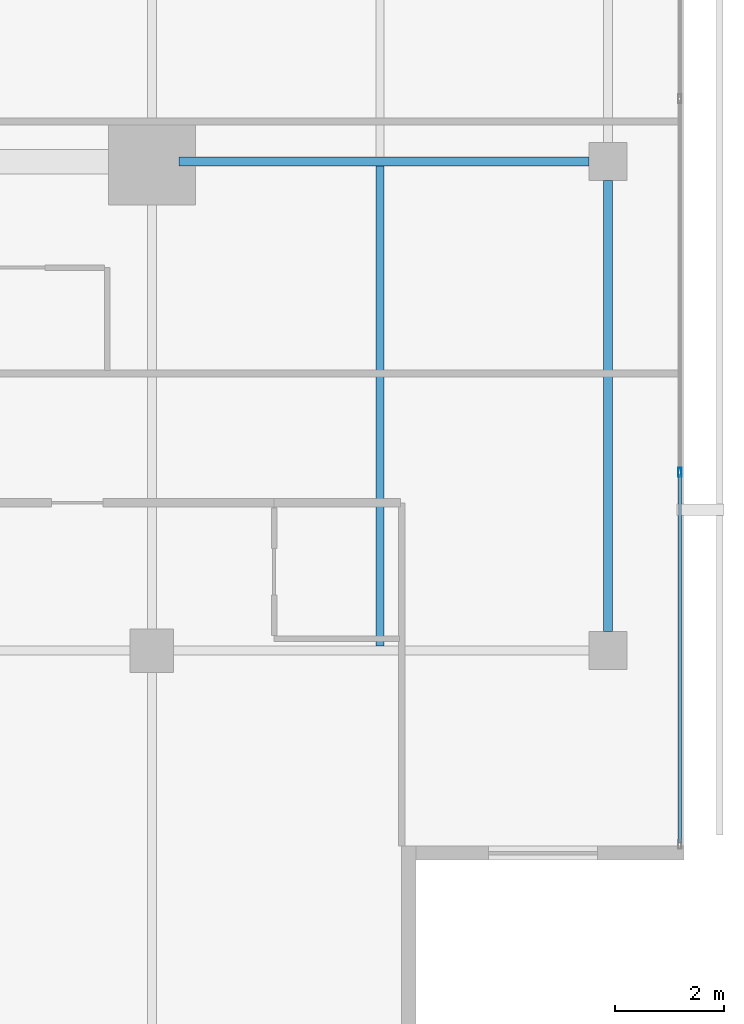
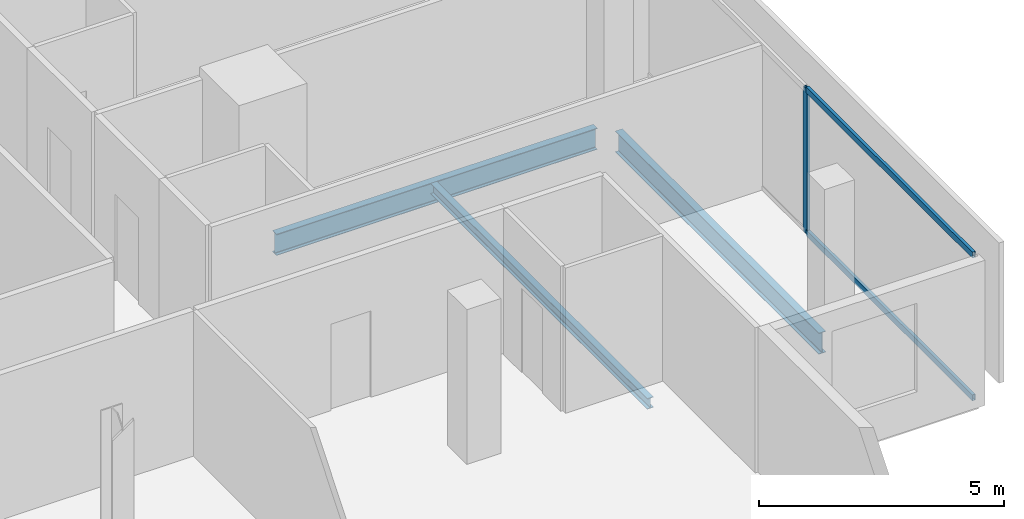
# One storey, part 12 of 25: 3 beams, 3 members, 1 element without a shape of its own.
"""IFC4 building model written with IfcOpenShell, lengths in metres."""

import ifcopenshell
import ifcopenshell.guid

model = None  # the IFC model being written
_history = None  # IfcOwnerHistory: only IFC2X3 demands one
_inside = {}  # id of a spatial element -> (the spatial element, [elements in it])
_under = {}  # id of a project, library or spatial element -> (it, [spatial elements below it])
_declared = {}  # id of a project -> (the project, [libraries it declares])
_typed = {}  # id of a type object -> (the type object, [elements of that type])
_made_of = {}  # id of a material, layer set ... -> (it, [elements and type objects made of it])


def new_model(schema):
    """Start an empty IFC model of exactly this schema.

    Asked for "IFC4X3", IfcOpenShell would pick the latest addendum, in which some entities
    have other attributes; the version numbers below select the first issue.
    IFC2X3 requires an IfcOwnerHistory on every rooted entity: one is made here for all.
    """
    global model, _history
    if schema == "IFC4X3":
        model = ifcopenshell.file(schema_version=(4, 3, 0, 0))
    else:
        model = ifcopenshell.file(schema=schema)
    _inside.clear()
    _under.clear()
    _declared.clear()
    _typed.clear()
    _made_of.clear()
    _history = None
    if model.schema == "IFC2X3":
        org = make("IfcOrganization", Name="unknown")
        user = make(
            "IfcPersonAndOrganization",
            ThePerson=make("IfcPerson", FamilyName="unknown"),
            TheOrganization=org,
        )
        app = make(
            "IfcApplication",
            ApplicationDeveloper=org,
            Version="unknown",
            ApplicationFullName="unknown",
            ApplicationIdentifier="unknown",
        )
        _history = make(
            "IfcOwnerHistory",
            OwningUser=user,
            OwningApplication=app,
            ChangeAction="ADDED",
            CreationDate=0,
        )
    return model


def make(cls, **values):
    """One entity of the class cls with the attributes given. An attribute that is None is left unset."""
    return model.create_entity(
        cls, **{name: value for name, value in values.items() if value is not None}
    )


def rooted(cls, **values):
    """An entity with a GlobalId (a new one), such as an element, a storey or a relation."""
    return make(cls, GlobalId=ifcopenshell.guid.new(), OwnerHistory=_history, **values)


def si_unit(unit_type, name, prefix=None):
    """IfcSIUnit, for example si_unit("LENGTHUNIT", "METRE", prefix="MILLI")."""
    return make("IfcSIUnit", UnitType=unit_type, Prefix=prefix, Name=name)


def assignment(units):
    """IfcUnitAssignment: the units of a project."""
    return None if units is None else make("IfcUnitAssignment", Units=units)


def point(xyz):
    """IfcCartesianPoint."""
    return None if xyz is None else make("IfcCartesianPoint", Coordinates=xyz)


def direction(xyz):
    """IfcDirection."""
    return None if xyz is None else make("IfcDirection", DirectionRatios=xyz)


def frame(location, z_axis=None, x_axis=None):
    """IfcAxis2Placement3D, a coordinate frame: its origin and axes. An axis left out is left unset."""
    return make(
        "IfcAxis2Placement3D",
        Location=point(location),
        Axis=direction(z_axis),
        RefDirection=direction(x_axis),
    )


def frame_2d(location, x_axis=None):
    """IfcAxis2Placement2D, a coordinate frame in the plane: its origin and x axis."""
    return make(
        "IfcAxis2Placement2D", Location=point(location), RefDirection=direction(x_axis)
    )


def origin():
    """The frame at (0, 0, 0) with its axes left unset."""
    return frame((0.0, 0.0, 0.0))


def origin_2d():
    """The frame at (0, 0) in the plane with its x axis left unset."""
    return frame_2d((0.0, 0.0))


def place(relative_to, where):
    """IfcLocalPlacement: puts the frame where relative to a parent placement (None: the world)."""
    return make(
        "IfcLocalPlacement", PlacementRelTo=relative_to, RelativePlacement=where
    )


def context(
    kind, dimensions, precision=None, world=None, true_north=None, identifier=None
):
    """IfcGeometricRepresentationContext, for example the 3D "Model" context."""
    return make(
        "IfcGeometricRepresentationContext",
        ContextIdentifier=identifier,
        ContextType=kind,
        CoordinateSpaceDimension=dimensions,
        Precision=precision,
        WorldCoordinateSystem=world,
        TrueNorth=true_north,
    )


def subcontext(parent, identifier, kind, view, scale=None):
    """IfcGeometricRepresentationSubContext, for example "Body" below "Model"."""
    return make(
        "IfcGeometricRepresentationSubContext",
        ContextIdentifier=identifier,
        ContextType=kind,
        ParentContext=parent,
        TargetScale=scale,
        TargetView=view,
    )


def project(units=None, contexts=None):
    """IfcProject with its units and contexts."""
    return rooted(
        "IfcProject",
        Name="project",
        RepresentationContexts=contexts,
        UnitsInContext=assignment(units),
    )


def spatial(cls, under=None, at=None, **own):
    """A site, building, storey or space (cls), placed at a placement, below another one or the project."""
    s = rooted(cls, ObjectPlacement=at, **own)
    if under is not None:
        _under.setdefault(under.id(), (under, []))[1].append(s)
    return s


def profile(cls, at=None, kind="AREA", **sizes):
    """A parametric profile (cls). Its sizes go by their IFC names, for example OverallWidth=200.0."""
    return make(cls, ProfileType=kind, Position=at, **sizes)


def hollow_rectangle(**sizes):
    """IfcRectangleHollowProfileDef."""
    return profile("IfcRectangleHollowProfileDef", **sizes)


def i_section(**sizes):
    """IfcIShapeProfileDef."""
    return profile("IfcIShapeProfileDef", **sizes)


def extrude(swept, where, along, depth):
    """IfcExtrudedAreaSolid: the profile swept, set in the frame where, extruded along a direction by depth."""
    return make(
        "IfcExtrudedAreaSolid",
        SweptArea=swept,
        Position=where,
        ExtrudedDirection=direction(along),
        Depth=depth,
    )


def shape(context_of_items, identifier, shape_type, items):
    """IfcShapeRepresentation: the items that make up one representation, for example the "Body"."""
    return make(
        "IfcShapeRepresentation",
        ContextOfItems=context_of_items,
        RepresentationIdentifier=identifier,
        RepresentationType=shape_type,
        Items=items,
    )


def material(Name=None, Category=None):
    """IfcMaterial."""
    return make("IfcMaterial", Name=Name, Category=Category)


def layer(
    of_material, thickness, ventilated=None, Name=None, Category=None, Priority=None
):
    """IfcMaterialLayer: one layer of a wall or slab, of a material (None: an air gap)."""
    return make(
        "IfcMaterialLayer",
        Material=of_material,
        LayerThickness=thickness,
        IsVentilated=ventilated,
        Name=Name,
        Category=Category,
        Priority=Priority,
    )


def layer_set(layers, Name=None):
    """IfcMaterialLayerSet."""
    return make("IfcMaterialLayerSet", MaterialLayers=layers, LayerSetName=Name)


def material_profile(
    of_material, cross_section, Name=None, Category=None, Priority=None
):
    """IfcMaterialProfile: a cross section and its material."""
    return make(
        "IfcMaterialProfile",
        Name=Name,
        Material=of_material,
        Profile=cross_section,
        Priority=Priority,
        Category=Category,
    )


def profile_set(profiles, Name=None, composite=None):
    """IfcMaterialProfileSet."""
    return make(
        "IfcMaterialProfileSet",
        Name=Name,
        MaterialProfiles=profiles,
        CompositeProfile=composite,
    )


def made_of(thing, what):
    """Note that an element or type object is made of a material, layer set ...; save() writes the relation."""
    if what is not None:
        _made_of.setdefault(what.id(), (what, []))[1].append(thing)
    return thing


def type_object(cls, material=None, **own):
    """A type object (cls), such as IfcWallType, which elements share."""
    return made_of(rooted(cls, **own), material)


def element(
    cls,
    number,
    at=None,
    inside=None,
    cuts=None,
    type_object=None,
    material=None,
    context=None,
    identifier="Body",
    shape_type=None,
    held_by="IfcProductDefinitionShape",
    body=None,
    shapes=None,
    **own,
):
    """One element of the class cls, such as IfcWall. Its Tag is "e" and its number.

    at: its placement. inside: the storey or other place that contains it. cuts: it is an
    opening in that element (IfcRelVoidsElement). A single representation is given by context,
    identifier, shape_type and body (its items); several are given by shapes. held_by: the class
    of the entity that holds the representations. save() writes the other relations.
    """
    e = rooted(cls, Tag="e%d" % number, ObjectPlacement=at, **own)
    if body is not None:
        shapes = [shape(context, identifier, shape_type, body)]
    if shapes is not None:
        e.Representation = make(held_by, Representations=shapes)
    if inside is not None:
        _inside.setdefault(inside.id(), (inside, []))[1].append(e)
    if cuts is not None:
        rooted(
            "IfcRelVoidsElement", RelatingBuildingElement=cuts, RelatedOpeningElement=e
        )
    if type_object is not None:
        _typed.setdefault(type_object.id(), (type_object, []))[1].append(e)
    return made_of(e, material)


def aggregate(whole, parts):
    """IfcRelAggregates: a whole, such as a stair, and the parts it consists of."""
    return rooted("IfcRelAggregates", RelatingObject=whole, RelatedObjects=parts)


def save(model, path):
    """Write the relations noted so far, then the file.

    IfcRelAggregates (storeys below a building ...), IfcRelContainedInSpatialStructure (elements
    in a storey), IfcRelDefinesByType, IfcRelAssociatesMaterial and IfcRelDeclares: one each for
    every whole, place, type object, material and project.
    """
    for whole, parts in _under.values():
        aggregate(whole, parts)
    for where, things in _inside.values():
        rooted(
            "IfcRelContainedInSpatialStructure",
            RelatedElements=things,
            RelatingStructure=where,
        )
    for kind, things in _typed.values():
        rooted("IfcRelDefinesByType", RelatedObjects=things, RelatingType=kind)
    for what, things in _made_of.values():
        rooted("IfcRelAssociatesMaterial", RelatedObjects=things, RelatingMaterial=what)
    for by, libraries in _declared.values():
        rooted("IfcRelDeclares", RelatingContext=by, RelatedDefinitions=libraries)
    model.write(path)


model = new_model("IFC4")

# Units and contexts
model_context = context("Model", 3, precision=1e-05, world=origin(), true_north=direction((0.0, 1.0)))
body_context = subcontext(model_context, "Body", "Model", "MODEL_VIEW")
ifc_project = project(units=[si_unit("LENGTHUNIT", "METRE"), si_unit("AREAUNIT", "SQUARE_METRE"), si_unit("VOLUMEUNIT", "CUBIC_METRE"), si_unit("PLANEANGLEUNIT", "RADIAN"), si_unit("MASSUNIT", "GRAM", prefix="KILO")], contexts=[model_context])

# Site, building, storey
site_placement = place(None, origin())
site = spatial("IfcSite", under=ifc_project, at=site_placement, CompositionType="ELEMENT")
building_placement = place(site_placement, origin())
building = spatial("IfcBuilding", under=site, at=building_placement, Name="Maruvema Waterfront Hotel and Observation Tower", CompositionType="ELEMENT")
storey_placement = place(building_placement, frame((0.0, 0.0, 281.75)))
storey = spatial("IfcBuildingStorey", under=building, at=storey_placement, Name="L69", CompositionType="ELEMENT", Elevation=281.75)

# Curtain wall, members
ifc_material_1 = material(Name="Anodised bronze aluminium and solar-control low-E IGU", Category="aluminium")
ifc_layer = layer(ifc_material_1, 0.159912109375, Name="Zone 3 Champagne Inner Thermal Curtain Wall System CW-04")
ifc_layer_set = layer_set([ifc_layer], Name="Anodised bronze aluminium and solar-control low-E IGU")
curtain_wall_type = type_object("IfcCurtainWallType", Name="Zone 3 Champagne Inner Thermal Curtain Wall System CW-04", PredefinedType="USERDEFINED", material=ifc_layer_set)
curtain_wall_placement = place(storey_placement, origin())
curtain_wall = element("IfcCurtainWall", 1, at=curtain_wall_placement, inside=storey, type_object=curtain_wall_type, Name="L69 Curtain Wall CW-L69-E", ObjectType="UNITISED CURTAIN WALL", PredefinedType="USERDEFINED")
ifc_material_2 = material(Name="Anodised architectural bronze aluminium", Category="aluminium")
ifc_material_profile_1 = material_profile(ifc_material_2, hollow_rectangle(XDim=0.070068359375, YDim=0.14990234375, WallThickness=0.00390625, at=origin_2d()), Name="ALU-T70x150")
ifc_profile_set_1 = profile_set([ifc_material_profile_1], Name="Anodised architectural bronze aluminium")
member_type_1 = type_object("IfcMemberType", Name="Curtain Wall Horizontal Transom ALU-T70x150", PredefinedType="USERDEFINED", material=ifc_profile_set_1)
member_1_placement = place(storey_placement, frame((60.1201171875, 14.4599609375, 0.030029296875), z_axis=(0.0, 1.0, 0.0), x_axis=(-1.0, 0.0, 0.0)))
member_1 = element("IfcMember", 2, at=member_1_placement, type_object=member_type_1, Name="CW-04 transom 1.1", ObjectType="TRANSOM", PredefinedType="USERDEFINED", context=body_context, shape_type="SweptSolid", body=[
    extrude(hollow_rectangle(XDim=0.070068359375, YDim=0.14990234375, WallThickness=0.00390625, at=origin_2d()), origin(), (0.0, 0.0, 1.0), 6.7900390625),
])
member_2_placement = place(storey_placement, frame((60.1201171875, 14.4599609375, 3.580078125), z_axis=(0.0, 1.0, 0.0), x_axis=(-1.0, 0.0, 0.0)))
member_2 = element("IfcMember", 3, at=member_2_placement, type_object=member_type_1, Name="CW-04 transom 1.2", ObjectType="TRANSOM", PredefinedType="USERDEFINED", context=body_context, shape_type="SweptSolid", body=[
    extrude(hollow_rectangle(XDim=0.070068359375, YDim=0.14990234375, WallThickness=0.00390625, at=origin_2d()), origin(), (0.0, 0.0, 1.0), 6.7900390625),
])
ifc_material_3 = material(Name="Anodised architectural bronze aluminium", Category="aluminium")
ifc_material_profile_2 = material_profile(ifc_material_3, hollow_rectangle(XDim=0.06494140625, YDim=0.1650390625, WallThickness=0.00390625, at=origin_2d()), Name="ALU-M65x165")
ifc_profile_set_2 = profile_set([ifc_material_profile_2], Name="Anodised architectural bronze aluminium")
member_type_2 = type_object("IfcMemberType", Name="Curtain Wall Primary Mullion ALU-M65x165", PredefinedType="MULLION", material=ifc_profile_set_2)
member_3_placement = place(storey_placement, frame((60.1201171875, 21.280029296875, 0.0), z_axis=(0.0, 0.0, 1.0), x_axis=(-1.0, 0.0, 0.0)))
member_3 = element("IfcMember", 4, at=member_3_placement, type_object=member_type_2, Name="CW-04 mullion 2", PredefinedType="MULLION", context=body_context, shape_type="SweptSolid", body=[
    extrude(hollow_rectangle(XDim=0.06494140625, YDim=0.1650390625, WallThickness=0.00390625, at=origin_2d()), origin(), (0.0, 0.0, 1.0), 3.610107421875),
])
aggregate(curtain_wall, [member_3, member_1, member_2])

# Beams
ifc_material_4 = material(Name="Steel ASTM A572 Grade 50", Category="steel")
ifc_material_profile_3 = material_profile(ifc_material_4, i_section(OverallWidth=0.166015625, OverallDepth=0.529052734375, WebThickness=0.009765625, FlangeThickness=0.013671875, FilletRadius=0.014892578125, at=origin_2d()), Name="W530x74.0")
ifc_profile_set_3 = profile_set([ifc_material_profile_3], Name="Steel ASTM A572 Grade 50")
beam_type_1 = type_object("IfcBeamType", Name="Primary Floor Girder W530x74.0", PredefinedType="BEAM", material=ifc_profile_set_3)
beam_1_placement = place(storey_placement, frame((50.89990234375, 27.0, -0.50439453125), z_axis=(1.0, 0.0, 0.0), x_axis=(0.0, 1.0, 0.0)))
element("IfcBeam", 5, at=beam_1_placement, inside=storey, type_object=beam_type_1, Name="L69 Floor Girder EW-11", PredefinedType="BEAM", context=body_context, shape_type="SweptSolid", body=[
    extrude(i_section(OverallWidth=0.166015625, OverallDepth=0.529052734375, WebThickness=0.009765625, FlangeThickness=0.013671875, FilletRadius=0.014892578125, at=origin_2d()), origin(), (0.0, 0.0, 1.0), 7.550048828125),
])
beam_2_placement = place(storey_placement, frame((58.800048828125, 18.35009765625, -0.50439453125), z_axis=(0.0, 1.0, 0.0), x_axis=(-1.0, 0.0, 0.0)))
element("IfcBeam", 6, at=beam_2_placement, inside=storey, type_object=beam_type_1, Name="L69 Floor Girder NS-16", PredefinedType="BEAM", context=body_context, shape_type="SweptSolid", body=[
    extrude(i_section(OverallWidth=0.166015625, OverallDepth=0.529052734375, WebThickness=0.009765625, FlangeThickness=0.013671875, FilletRadius=0.014892578125, at=origin_2d()), origin(), (0.0, 0.0, 1.0), 8.2998046875),
])
ifc_material_5 = material(Name="Steel ASTM A572 Grade 50", Category="steel")
ifc_material_profile_4 = material_profile(ifc_material_5, i_section(OverallWidth=0.14794921875, OverallDepth=0.26611328125, WebThickness=0.007568359375, FlangeThickness=0.012939453125, FilletRadius=0.012939453125, at=origin_2d()), Name="W250x44.8")
ifc_profile_set_4 = profile_set([ifc_material_profile_4], Name="Steel ASTM A572 Grade 50")
beam_type_2 = type_object("IfcBeamType", Name="Secondary Floor Joist W250x44.8", PredefinedType="JOIST", material=ifc_profile_set_4)
beam_3_placement = place(storey_placement, frame((54.60009765625, 18.0830078125, -0.373046875), z_axis=(0.0, 1.0, 0.0), x_axis=(-1.0, 0.0, 0.0)))
element("IfcBeam", 7, at=beam_3_placement, inside=storey, type_object=beam_type_2, Name="L69 Secondary Floor Joist JS-07", PredefinedType="JOIST", context=body_context, shape_type="SweptSolid", body=[
    extrude(i_section(OverallWidth=0.14794921875, OverallDepth=0.26611328125, WebThickness=0.007568359375, FlangeThickness=0.012939453125, FilletRadius=0.012939453125, at=origin_2d()), origin(), (0.0, 0.0, 1.0), 8.833984375),
])

save(model, "model.ifc")
